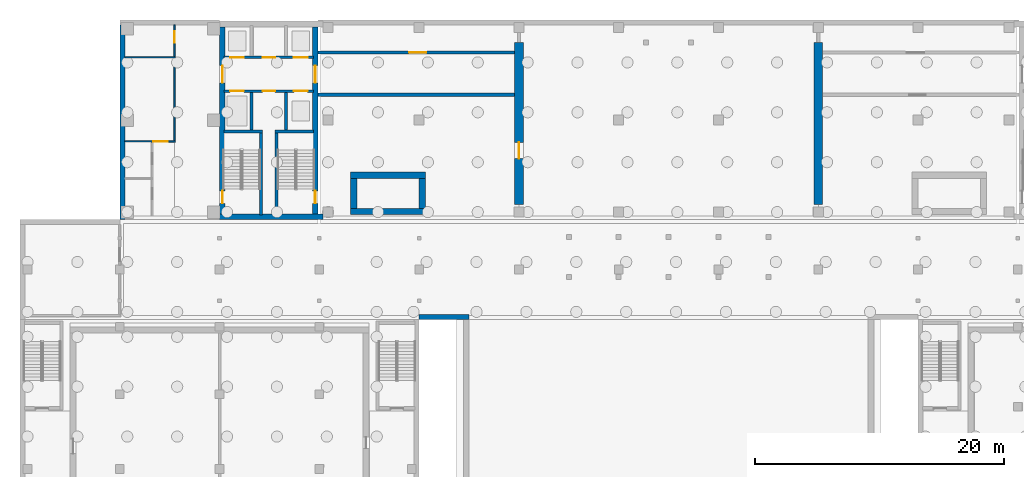
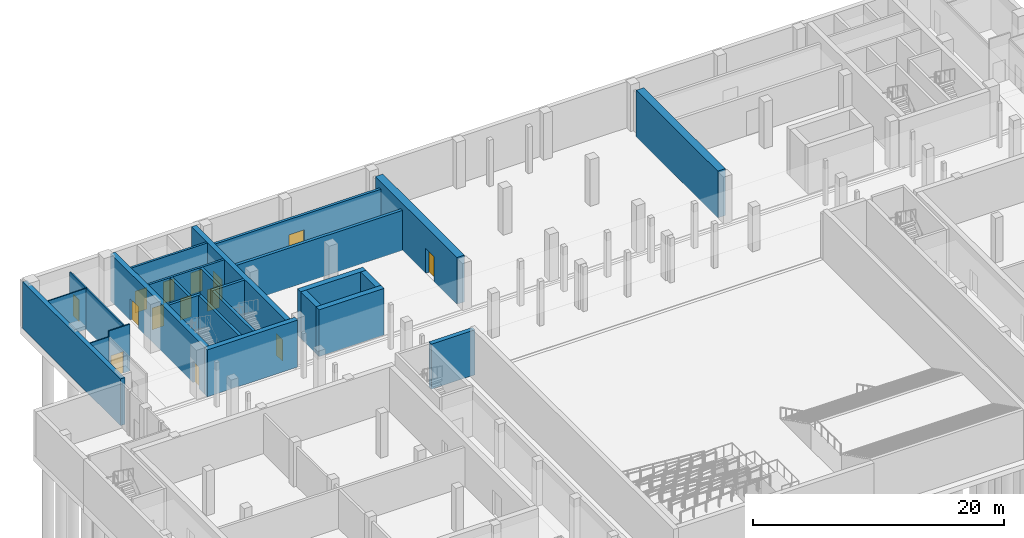
# One storey, part 7 of 21: 25 walls, 14 doors, 14 openings.
"""IFC4 building model written with IfcOpenShell, lengths in metres."""

from ifc_helpers import new_model, si_unit, direction, frame, frame_2d, origin, place, context, subcontext, project, spatial, rectangle, extrude, material, layer, layer_set, type_object, element, fill, save


model = new_model("IFC4")

# Units and contexts
model_context = context("Model", 3, precision=1e-05, world=origin(), true_north=direction((0.0, 1.0)))
body_context = subcontext(model_context, "Body", "Model", "MODEL_VIEW")
ifc_project = project(units=[si_unit("LENGTHUNIT", "METRE"), si_unit("AREAUNIT", "SQUARE_METRE"), si_unit("VOLUMEUNIT", "CUBIC_METRE"), si_unit("PLANEANGLEUNIT", "RADIAN"), si_unit("MASSUNIT", "GRAM", prefix="KILO")], contexts=[model_context])

# Site, building, storey
site_placement = place(None, origin())
site = spatial("IfcSite", under=ifc_project, at=site_placement, CompositionType="ELEMENT")
building_placement = place(site_placement, origin())
building = spatial("IfcBuilding", under=site, at=building_placement, Name="Lantern Court Media Centre", CompositionType="ELEMENT")
storey_placement = place(building_placement, frame((0.0, 0.0, -4.800048828125)))
storey = spatial("IfcBuildingStorey", under=building, at=storey_placement, Name="B1", CompositionType="ELEMENT", Elevation=-4.800048828125)

# Wall
ifc_material_1 = material(Name="Concrete blockwork C20", Category="masonry")
ifc_layer_1 = layer(ifc_material_1, 0.280029296875)
ifc_layer_set_1 = layer_set([ifc_layer_1], Name="Concrete blockwork C20")
wall_type_1 = type_object("IfcWallType", Name="Archive humidity and fire wall 280", PredefinedType="PARTITIONING", material=ifc_layer_set_1)
wall_1_placement = place(storey_placement, frame((23.89990234375, 58.0, 0.0), z_axis=(0.0, 0.0, 1.0), x_axis=(1.0, 0.0, 0.0)))
element("IfcWall", 1, at=wall_1_placement, inside=storey, type_object=wall_type_1, Name="B1 partition 037", PredefinedType="PARTITIONING", context=body_context, shape_type="SweptSolid", body=[
    extrude(rectangle(XDim=15.75, YDim=0.280029296875, at=frame_2d((7.875, 0.0))), origin(), (0.0, 0.0, 1.0), 3.880126953125),
])

# Wall, opening, door
ifc_material_2 = material(Name="Gypsum board partition")
ifc_layer_2 = layer(ifc_material_2, 0.125)
ifc_layer_set_2 = layer_set([ifc_layer_2], Name="Gypsum board partition")
wall_type_2 = type_object("IfcWallType", Name="Corridor partition 125", PredefinedType="PARTITIONING", material=ifc_layer_set_2)
wall_2_placement = place(storey_placement, frame((12.39990234375, 54.3330078125, 0.0), z_axis=(0.0, 0.0, 1.0), x_axis=(0.0, 1.0, 0.0)))
wall_2 = element("IfcWall", 2, at=wall_2_placement, inside=storey, type_object=wall_type_2, Name="B1 partition 000", PredefinedType="PARTITIONING", context=body_context, shape_type="SweptSolid", body=[
    extrude(rectangle(XDim=9.26708984375, YDim=0.125, at=frame_2d((4.633544921875, 0.0))), origin(), (0.0, 0.0, 1.0), 3.97998046875),
])
opening_1_placement = place(wall_2_placement, frame((7.861572265625, 0.0, 0.0)))
opening_1 = element("IfcOpeningElement", 3, at=opening_1_placement, cuts=wall_2, Name="Opening B1-002", PredefinedType="OPENING", context=body_context, shape_type="SweptSolid", body=[
    extrude(rectangle(XDim=0.89990234375, YDim=2.10009765625, at=frame_2d((0.449951171875, 1.050048828125))), frame((0.0, 0.072509765625, 0.0), z_axis=(0.0, -1.0, 0.0), x_axis=(1.0, 0.0, 0.0)), (0.0, 0.0, 1.0), 0.14501953125),
])
ifc_material_3 = material(Name="Solid-core timber door leaf", Category="wood")
door_type_1 = type_object("IfcDoorType", Name="Single door 900x2100", OperationType="NOTDEFINED", PredefinedType="DOOR", material=ifc_material_3)
door_1_placement = place(opening_1_placement, origin())
door_1 = element("IfcDoor", 4, at=door_1_placement, inside=storey, type_object=door_type_1, Name="B1 Switchroom door", OperationType="SINGLE_SWING_LEFT", OverallHeight=2.10009765625, OverallWidth=0.89990234375, PredefinedType="DOOR", context=body_context, shape_type="SweptSolid", body=[
    extrude(rectangle(XDim=0.89990234375, YDim=2.10009765625, at=frame_2d((0.449951171875, 1.050048828125))), frame((0.0, 0.02490234375, 0.0), z_axis=(0.0, -1.0, 0.0), x_axis=(1.0, 0.0, 0.0)), (0.0, 0.0, 1.0), 0.050048828125),
])
fill(opening_1, door_1)

wall_3_placement = place(storey_placement, frame((10.53759765625, 54.27001953125, 0.0), z_axis=(0.0, 0.0, 1.0), x_axis=(1.0, 0.0, 0.0)))
wall_3 = element("IfcWall", 5, at=wall_3_placement, inside=storey, type_object=wall_type_2, Name="B1 partition 002", PredefinedType="PARTITIONING", context=body_context, shape_type="SweptSolid", body=[
    extrude(rectangle(XDim=1.9248046875, YDim=0.125, at=frame_2d((0.96240234375, 0.0))), origin(), (0.0, 0.0, 1.0), 4.56005859375),
])
opening_2_placement = place(wall_3_placement, frame((0.16259765625, 0.0, 0.0)))
opening_2 = element("IfcOpeningElement", 6, at=opening_2_placement, cuts=wall_3, Name="Opening B1-001", PredefinedType="OPENING", context=body_context, shape_type="SweptSolid", body=[
    extrude(rectangle(XDim=1.14990234375, YDim=2.10009765625, at=frame_2d((0.574951171875, 1.050048828125))), frame((0.0, 0.072509765625, 0.0), z_axis=(0.0, -1.0, 0.0), x_axis=(1.0, 0.0, 0.0)), (0.0, 0.0, 1.0), 0.14501953125),
])
door_type_2 = type_object("IfcDoorType", Name="Single door 1150x2100", OperationType="NOTDEFINED", PredefinedType="DOOR", material=ifc_material_3)
door_2_placement = place(opening_2_placement, origin())
door_2 = element("IfcDoor", 7, at=door_2_placement, inside=storey, type_object=door_type_2, Name="B1 Chiller Plant Room door", OperationType="SINGLE_SWING_RIGHT", OverallHeight=2.10009765625, OverallWidth=1.14990234375, PredefinedType="DOOR", context=body_context, shape_type="SweptSolid", body=[
    extrude(rectangle(XDim=1.14990234375, YDim=2.10009765625, at=frame_2d((0.574951171875, 1.050048828125))), frame((0.0, 0.02490234375, 0.0), z_axis=(0.0, -1.0, 0.0), x_axis=(1.0, 0.0, 0.0)), (0.0, 0.0, 1.0), 0.050048828125),
])
fill(opening_2, door_2)

# Wall, openings, doors
ifc_material_4 = material(Name="Concrete C40", Category="concrete")
ifc_layer_3 = layer(ifc_material_4, 0.199951171875)
ifc_layer_set_3 = layer_set([ifc_layer_3], Name="Concrete C40")
wall_type_3 = type_object("IfcWallType", Name="Fire lobby wall 200", PredefinedType="SOLIDWALL", material=ifc_layer_set_3)
wall_4_placement = place(storey_placement, frame((16.35009765625, 58.300048828125, 0.0), z_axis=(0.0, 0.0, 1.0), x_axis=(1.0, 0.0, 0.0)))
wall_4 = element("IfcWall", 8, at=wall_4_placement, inside=storey, type_object=wall_type_3, Name="B1 SW FW1", PredefinedType="SOLIDWALL", context=body_context, shape_type="SweptSolid", body=[
    extrude(rectangle(XDim=7.199951171875, YDim=0.199951171875, at=frame_2d((3.60009765625, 0.0))), origin(), (0.0, 0.0, 1.0), 4.550048828125),
])
opening_3_placement = place(wall_4_placement, frame((0.5, 0.0, 0.0)))
opening_3 = element("IfcOpeningElement", 9, at=opening_3_placement, cuts=wall_4, Name="Opening LD-SWFF-B1", PredefinedType="OPENING", context=body_context, shape_type="SweptSolid", body=[
    extrude(rectangle(XDim=1.10009765625, YDim=2.10009765625, at=frame_2d((0.550048828125, 1.050048828125))), frame((0.0, 0.10986328125, 0.0), z_axis=(0.0, -1.0, 0.0), x_axis=(1.0, 0.0, 0.0)), (0.0, 0.0, 1.0), 0.219970703125),
])
opening_4_placement = place(wall_4_placement, frame((5.60009765625, 0.0, 0.0)))
opening_4 = element("IfcOpeningElement", 10, at=opening_4_placement, cuts=wall_4, Name="Opening LD-SWP1-B1", PredefinedType="OPENING", context=body_context, shape_type="SweptSolid", body=[
    extrude(rectangle(XDim=1.10009765625, YDim=2.10009765625, at=frame_2d((0.550048828125, 1.050048828125))), frame((0.0, 0.10986328125, 0.0), z_axis=(0.0, -1.0, 0.0), x_axis=(1.0, 0.0, 0.0)), (0.0, 0.0, 1.0), 0.219970703125),
])
opening_5_placement = place(wall_4_placement, frame((3.10009765625, 0.0, 0.0)))
opening_5 = element("IfcOpeningElement", 11, at=opening_5_placement, cuts=wall_4, Name="Opening SW-B1-03", PredefinedType="OPENING", context=body_context, shape_type="SweptSolid", body=[
    extrude(rectangle(XDim=1.0, YDim=2.10009765625, at=frame_2d((0.5, 1.050048828125))), frame((0.0, 0.10986328125, 0.0), z_axis=(0.0, -1.0, 0.0), x_axis=(1.0, 0.0, 0.0)), (0.0, 0.0, 1.0), 0.219970703125),
])
ifc_material_5 = material(Name="Steel door leaf", Category="steel")
door_type_3 = type_object("IfcDoorType", Name="Lift landing door 1100x2100", OperationType="DOUBLE_DOOR_SLIDING", PredefinedType="DOOR", material=ifc_material_5)
door_3_placement = place(opening_3_placement, origin())
door_3 = element("IfcDoor", 12, at=door_3_placement, inside=storey, type_object=door_type_3, Name="B1 SW lift FF landing door", OperationType="DOUBLE_DOOR_SLIDING", OverallHeight=2.10009765625, OverallWidth=1.10009765625, PredefinedType="DOOR", context=body_context, shape_type="SweptSolid", body=[
    extrude(rectangle(XDim=1.10009765625, YDim=2.10009765625, at=frame_2d((0.550048828125, 1.050048828125))), frame((0.0, 0.02490234375, 0.0), z_axis=(0.0, -1.0, 0.0), x_axis=(1.0, 0.0, 0.0)), (0.0, 0.0, 1.0), 0.050048828125),
])
fill(opening_3, door_3)
door_4_placement = place(opening_4_placement, origin())
door_4 = element("IfcDoor", 13, at=door_4_placement, inside=storey, type_object=door_type_3, Name="B1 SW lift P1 landing door", OperationType="DOUBLE_DOOR_SLIDING", OverallHeight=2.10009765625, OverallWidth=1.10009765625, PredefinedType="DOOR", context=body_context, shape_type="SweptSolid", body=[
    extrude(rectangle(XDim=1.10009765625, YDim=2.10009765625, at=frame_2d((0.550048828125, 1.050048828125))), frame((0.0, 0.02490234375, 0.0), z_axis=(0.0, -1.0, 0.0), x_axis=(1.0, 0.0, 0.0)), (0.0, 0.0, 1.0), 0.050048828125),
])
fill(opening_4, door_4)
door_type_4 = type_object("IfcDoorType", Name="Service door 1000x2100", OperationType="NOTDEFINED", PredefinedType="DOOR", material=ifc_material_5)
door_5_placement = place(opening_5_placement, origin())
door_5 = element("IfcDoor", 14, at=door_5_placement, inside=storey, type_object=door_type_4, Name="B1 SW services riser door", OperationType="SINGLE_SWING_LEFT", OverallHeight=2.10009765625, OverallWidth=1.0, PredefinedType="DOOR", context=body_context, shape_type="SweptSolid", body=[
    extrude(rectangle(XDim=1.0, YDim=2.10009765625, at=frame_2d((0.5, 1.050048828125))), frame((0.0, 0.02490234375, 0.0), z_axis=(0.0, -1.0, 0.0), x_axis=(1.0, 0.0, 0.0)), (0.0, 0.0, 1.0), 0.050048828125),
])
fill(opening_5, door_5)

wall_5_placement = place(storey_placement, frame((16.35009765625, 61.0, 0.0), z_axis=(0.0, 0.0, 1.0), x_axis=(1.0, 0.0, 0.0)))
wall_5 = element("IfcWall", 15, at=wall_5_placement, inside=storey, type_object=wall_type_3, Name="B1 SW FW2", PredefinedType="SOLIDWALL", context=body_context, shape_type="SweptSolid", body=[
    extrude(rectangle(XDim=7.199951171875, YDim=0.199951171875, at=frame_2d((3.60009765625, 0.0))), origin(), (0.0, 0.0, 1.0), 4.550048828125),
])
opening_6_placement = place(wall_5_placement, frame((0.5, 0.0, 0.0)))
opening_6 = element("IfcOpeningElement", 16, at=opening_6_placement, cuts=wall_5, Name="Opening LD-SWP2-B1", PredefinedType="OPENING", context=body_context, shape_type="SweptSolid", body=[
    extrude(rectangle(XDim=1.10009765625, YDim=2.10009765625, at=frame_2d((0.550048828125, 1.050048828125))), frame((0.0, 0.10986328125, 0.0), z_axis=(0.0, -1.0, 0.0), x_axis=(1.0, 0.0, 0.0)), (0.0, 0.0, 1.0), 0.219970703125),
])
opening_7_placement = place(wall_5_placement, frame((5.60009765625, 0.0, 0.0)))
opening_7 = element("IfcOpeningElement", 17, at=opening_7_placement, cuts=wall_5, Name="Opening LD-SWP3-B1", PredefinedType="OPENING", context=body_context, shape_type="SweptSolid", body=[
    extrude(rectangle(XDim=1.10009765625, YDim=2.10009765625, at=frame_2d((0.550048828125, 1.050048828125))), frame((0.0, 0.10986328125, 0.0), z_axis=(0.0, -1.0, 0.0), x_axis=(1.0, 0.0, 0.0)), (0.0, 0.0, 1.0), 0.219970703125),
])
opening_8_placement = place(wall_5_placement, frame((3.10009765625, 0.0, 0.0)))
opening_8 = element("IfcOpeningElement", 18, at=opening_8_placement, cuts=wall_5, Name="Opening SW-B1-04", PredefinedType="OPENING", context=body_context, shape_type="SweptSolid", body=[
    extrude(rectangle(XDim=1.0, YDim=2.10009765625, at=frame_2d((0.5, 1.050048828125))), frame((0.0, 0.10986328125, 0.0), z_axis=(0.0, -1.0, 0.0), x_axis=(1.0, 0.0, 0.0)), (0.0, 0.0, 1.0), 0.219970703125),
])
door_6_placement = place(opening_6_placement, frame((1.10009765625, 0.0, 0.0), z_axis=(0.0, 0.0, 1.0), x_axis=(-1.0, 0.0, 0.0)))
door_6 = element("IfcDoor", 19, at=door_6_placement, inside=storey, type_object=door_type_3, Name="B1 SW lift P2 landing door", OperationType="DOUBLE_DOOR_SLIDING", OverallHeight=2.10009765625, OverallWidth=1.10009765625, PredefinedType="DOOR", context=body_context, shape_type="SweptSolid", body=[
    extrude(rectangle(XDim=1.10009765625, YDim=2.10009765625, at=frame_2d((0.550048828125, 1.050048828125))), frame((0.0, 0.02490234375, 0.0), z_axis=(0.0, -1.0, 0.0), x_axis=(1.0, 0.0, 0.0)), (0.0, 0.0, 1.0), 0.050048828125),
])
fill(opening_6, door_6)
door_7_placement = place(opening_7_placement, frame((1.10009765625, 0.0, 0.0), z_axis=(0.0, 0.0, 1.0), x_axis=(-1.0, 0.0, 0.0)))
door_7 = element("IfcDoor", 20, at=door_7_placement, inside=storey, type_object=door_type_3, Name="B1 SW lift P3 landing door", OperationType="DOUBLE_DOOR_SLIDING", OverallHeight=2.10009765625, OverallWidth=1.10009765625, PredefinedType="DOOR", context=body_context, shape_type="SweptSolid", body=[
    extrude(rectangle(XDim=1.10009765625, YDim=2.10009765625, at=frame_2d((0.550048828125, 1.050048828125))), frame((0.0, 0.02490234375, 0.0), z_axis=(0.0, -1.0, 0.0), x_axis=(1.0, 0.0, 0.0)), (0.0, 0.0, 1.0), 0.050048828125),
])
fill(opening_7, door_7)
door_8_placement = place(opening_8_placement, frame((1.0, 0.0, 0.0), z_axis=(0.0, 0.0, 1.0), x_axis=(-1.0, 0.0, 0.0)))
door_8 = element("IfcDoor", 21, at=door_8_placement, inside=storey, type_object=door_type_4, Name="B1 SW accessible WC door", OperationType="SINGLE_SWING_RIGHT", OverallHeight=2.10009765625, OverallWidth=1.0, PredefinedType="DOOR", context=body_context, shape_type="SweptSolid", body=[
    extrude(rectangle(XDim=1.0, YDim=2.10009765625, at=frame_2d((0.5, 1.050048828125))), frame((0.0, 0.02490234375, 0.0), z_axis=(0.0, -1.0, 0.0), x_axis=(1.0, 0.0, 0.0)), (0.0, 0.0, 1.0), 0.050048828125),
])
fill(opening_8, door_8)

# Walls
ifc_layer_4 = layer(ifc_material_2, 0.10009765625)
ifc_layer_set_4 = layer_set([ifc_layer_4], Name="Gypsum board partition")
wall_type_4 = type_object("IfcWallType", Name="Partition 100", PredefinedType="PARTITIONING", material=ifc_layer_set_4)
wall_6_placement = place(storey_placement, frame((8.39990234375, 54.27001953125, 0.0), z_axis=(0.0, 0.0, 1.0), x_axis=(1.0, 0.0, 0.0)))
element("IfcWall", 22, at=wall_6_placement, inside=storey, type_object=wall_type_4, Name="B1 partition 001", PredefinedType="PARTITIONING", context=body_context, shape_type="SweptSolid", body=[
    extrude(rectangle(XDim=2.2626953125, YDim=0.10009765625, at=frame_2d((1.13134765625, 0.0))), origin(), (0.0, 0.0, 1.0), 3.97998046875),
])
wall_7_placement = place(storey_placement, frame((8.39990234375, 61.010986328125, 0.0), z_axis=(0.0, 0.0, 1.0), x_axis=(1.0, 0.0, 0.0)))
element("IfcWall", 23, at=wall_7_placement, inside=storey, type_object=wall_type_4, Name="B1 partition 005", PredefinedType="PARTITIONING", context=body_context, shape_type="SweptSolid", body=[
    extrude(rectangle(XDim=4.0625, YDim=0.10009765625, at=frame_2d((2.03125, 0.0))), origin(), (0.0, 0.0, 1.0), 3.97998046875),
])

# Wall, opening, door
ifc_layer_5 = layer(ifc_material_1, 0.239990234375)
ifc_layer_set_5 = layer_set([ifc_layer_5], Name="Concrete blockwork C20")
wall_type_5 = type_object("IfcWallType", Name="Plant room acoustic fire wall 240", PredefinedType="PARTITIONING", material=ifc_layer_set_5)
wall_8_placement = place(storey_placement, frame((23.89990234375, 61.39990234375, 0.0), z_axis=(0.0, 0.0, 1.0), x_axis=(1.0, 0.0, 0.0)))
wall_8 = element("IfcWall", 24, at=wall_8_placement, inside=storey, type_object=wall_type_5, Name="B1 partition 039", PredefinedType="PARTITIONING", context=body_context, shape_type="SweptSolid", body=[
    extrude(rectangle(XDim=15.75, YDim=0.239990234375, at=frame_2d((7.875, 0.0))), origin(), (0.0, 0.0, 1.0), 3.880126953125),
])
opening_9_placement = place(wall_8_placement, frame((7.28857421875, 0.0, 0.0)))
opening_9 = element("IfcOpeningElement", 25, at=opening_9_placement, cuts=wall_8, Name="Opening B1-026", PredefinedType="OPENING", context=body_context, shape_type="SweptSolid", body=[
    extrude(rectangle(XDim=1.39990234375, YDim=2.39990234375, at=frame_2d((0.699951171875, 1.199951171875))), frame((0.0, 0.1298828125, 0.0), z_axis=(0.0, -1.0, 0.0), x_axis=(1.0, 0.0, 0.0)), (0.0, 0.0, 1.0), 0.260009765625),
])
door_type_5 = type_object("IfcDoorType", Name="Plant room fire door 1400x2400", OperationType="NOTDEFINED", PredefinedType="DOOR", material=ifc_material_5)
door_9_placement = place(opening_9_placement, origin())
door_9 = element("IfcDoor", 26, at=door_9_placement, inside=storey, type_object=door_type_5, Name="B1 Archive Air Handling Room door", OperationType="SINGLE_SWING_LEFT", OverallHeight=2.39990234375, OverallWidth=1.39990234375, PredefinedType="DOOR", context=body_context, shape_type="SweptSolid", body=[
    extrude(rectangle(XDim=1.39990234375, YDim=2.39990234375, at=frame_2d((0.699951171875, 1.199951171875))), frame((0.0, 0.02490234375, 0.0), z_axis=(0.0, -1.0, 0.0), x_axis=(1.0, 0.0, 0.0)), (0.0, 0.0, 1.0), 0.050048828125),
])
fill(opening_9, door_9)

# Walls
ifc_layer_6 = layer(ifc_material_4, 0.5)
ifc_layer_set_6 = layer_set([ifc_layer_6], Name="Concrete C40")
wall_type_6 = type_object("IfcWallType", Name="RC BASEMENT BOX WALL 500", PredefinedType="SHEAR", material=ifc_layer_set_6)
for number, where, z_axis, x_axis, name in (
    (27, (26.5, 48.64990234375, 0.0), (0.0, 0.0, 1.0), (1.0, 0.0, 0.0), "WB-S-LC1-B1-S"),
    (28, (26.5, 51.550048828125, 0.0), (0.0, 0.0, 1.0), (1.0, 0.0, 0.0), "WB-S-LC1-B1-N"),
):
    element("IfcWall", number, at=place(storey_placement, frame(where, z_axis=z_axis, x_axis=x_axis)), inside=storey, type_object=wall_type_6, Name=name, PredefinedType="SHEAR", context=body_context, shape_type="SweptSolid", body=[
        extrude(rectangle(XDim=6.0, YDim=0.5, at=frame_2d((3.0, 0.0))), origin(), (0.0, 0.0, 1.0), 4.550048828125),
    ])
for number, where, z_axis, x_axis, name in (
    (29, (26.75, 48.89990234375, 0.0), (0.0, 0.0, 1.0), (0.0, 1.0, 0.0), "WB-S-LC1-B1-W"),
    (30, (32.25, 48.89990234375, 0.0), (0.0, 0.0, 1.0), (0.0, 1.0, 0.0), "WB-S-LC1-B1-E"),
):
    element("IfcWall", number, at=place(storey_placement, frame(where, z_axis=z_axis, x_axis=x_axis)), inside=storey, type_object=wall_type_6, Name=name, PredefinedType="SHEAR", context=body_context, shape_type="SweptSolid", body=[
        extrude(rectangle(XDim=2.400146484375, YDim=0.5, at=frame_2d((1.2001953125, 0.0))), origin(), (0.0, 0.0, 1.0), 4.550048828125),
    ])
ifc_layer_7 = layer(ifc_material_4, 0.449951171875)
ifc_layer_set_7 = layer_set([ifc_layer_7], Name="Concrete C40")
wall_type_7 = type_object("IfcWallType", Name="RC BASEMENT CORE WALL 450", PredefinedType="SHEAR", material=ifc_layer_set_7)
wall_9_placement = place(storey_placement, frame((16.0, 48.22509765625, 0.0), z_axis=(0.0, 0.0, 1.0), x_axis=(1.0, 0.0, 0.0)))
element("IfcWall", 31, at=wall_9_placement, inside=storey, type_object=wall_type_7, Name="WC-SW-B1-S", PredefinedType="SHEAR", context=body_context, shape_type="SweptSolid", body=[
    extrude(rectangle(XDim=8.300048828125, YDim=0.449951171875, at=frame_2d((4.14990234375, 0.0))), origin(), (0.0, 0.0, 1.0), 4.580078125),
])

# Wall, openings, doors
wall_10_placement = place(storey_placement, frame((16.22509765625, 48.449951171875, 0.0), z_axis=(0.0, 0.0, 1.0), x_axis=(0.0, 1.0, 0.0)))
wall_10 = element("IfcWall", 32, at=wall_10_placement, inside=storey, type_object=wall_type_7, Name="WC-SW-B1-W", PredefinedType="SHEAR", context=body_context, shape_type="SweptSolid", body=[
    extrude(rectangle(XDim=15.0, YDim=0.449951171875, at=frame_2d((7.5, 0.0))), origin(), (0.0, 0.0, 1.0), 4.580078125),
])
opening_10_placement = place(wall_10_placement, frame((0.85009765625, 0.0, 0.0)))
opening_10 = element("IfcOpeningElement", 33, at=opening_10_placement, cuts=wall_10, Name="Opening SW-B1-01", PredefinedType="OPENING", context=body_context, shape_type="SweptSolid", body=[
    extrude(rectangle(XDim=1.0, YDim=2.10009765625, at=frame_2d((0.5, 1.050048828125))), frame((0.0, 0.23486328125, 0.0), z_axis=(0.0, -1.0, 0.0), x_axis=(1.0, 0.0, 0.0)), (0.0, 0.0, 1.0), 0.469970703125),
])
opening_11_placement = place(wall_10_placement, frame((10.5, 0.0, 0.0)))
opening_11 = element("IfcOpeningElement", 34, at=opening_11_placement, cuts=wall_10, Name="Opening SW-B1-05", PredefinedType="OPENING", context=body_context, shape_type="SweptSolid", body=[
    extrude(rectangle(XDim=1.39990234375, YDim=2.10009765625, at=frame_2d((0.699951171875, 1.050048828125))), frame((0.0, 0.23486328125, 0.0), z_axis=(0.0, -1.0, 0.0), x_axis=(1.0, 0.0, 0.0)), (0.0, 0.0, 1.0), 0.469970703125),
])
door_type_6 = type_object("IfcDoorType", Name="Lift lobby double door 1400x2100", OperationType="NOTDEFINED", PredefinedType="DOOR", material=ifc_material_5)
door_10_placement = place(opening_11_placement, origin())
door_10 = element("IfcDoor", 35, at=door_10_placement, inside=storey, type_object=door_type_6, Name="B1 SW lift lobby west door", OperationType="SINGLE_SWING_LEFT", OverallHeight=2.10009765625, OverallWidth=1.39990234375, PredefinedType="DOOR", context=body_context, shape_type="SweptSolid", body=[
    extrude(rectangle(XDim=1.39990234375, YDim=2.10009765625, at=frame_2d((0.699951171875, 1.050048828125))), frame((0.0, 0.02490234375, 0.0), z_axis=(0.0, -1.0, 0.0), x_axis=(1.0, 0.0, 0.0)), (0.0, 0.0, 1.0), 0.050048828125),
])
fill(opening_11, door_10)
door_type_7 = type_object("IfcDoorType", Name="Stair door 1000x2100", OperationType="NOTDEFINED", PredefinedType="DOOR", material=ifc_material_5)
door_11_placement = place(opening_10_placement, origin())
door_11 = element("IfcDoor", 36, at=door_11_placement, inside=storey, type_object=door_type_7, Name="B1 SW stair A door", OperationType="SINGLE_SWING_LEFT", OverallHeight=2.10009765625, OverallWidth=1.0, PredefinedType="DOOR", context=body_context, shape_type="SweptSolid", body=[
    extrude(rectangle(XDim=1.0, YDim=2.10009765625, at=frame_2d((0.5, 1.050048828125))), frame((0.0, 0.02490234375, 0.0), z_axis=(0.0, -1.0, 0.0), x_axis=(1.0, 0.0, 0.0)), (0.0, 0.0, 1.0), 0.050048828125),
])
fill(opening_10, door_11)

wall_11_placement = place(storey_placement, frame((23.675048828125, 48.449951171875, 0.0), z_axis=(0.0, 0.0, 1.0), x_axis=(0.0, 1.0, 0.0)))
wall_11 = element("IfcWall", 37, at=wall_11_placement, inside=storey, type_object=wall_type_7, Name="WC-SW-B1-E", PredefinedType="SHEAR", context=body_context, shape_type="SweptSolid", body=[
    extrude(rectangle(XDim=15.0, YDim=0.449951171875, at=frame_2d((7.5, 0.0))), origin(), (0.0, 0.0, 1.0), 4.580078125),
])
opening_12_placement = place(wall_11_placement, frame((0.85009765625, 0.0, 0.0)))
opening_12 = element("IfcOpeningElement", 38, at=opening_12_placement, cuts=wall_11, Name="Opening SW-B1-02", PredefinedType="OPENING", context=body_context, shape_type="SweptSolid", body=[
    extrude(rectangle(XDim=1.0, YDim=2.10009765625, at=frame_2d((0.5, 1.050048828125))), frame((0.0, 0.23486328125, 0.0), z_axis=(0.0, -1.0, 0.0), x_axis=(1.0, 0.0, 0.0)), (0.0, 0.0, 1.0), 0.469970703125),
])
opening_13_placement = place(wall_11_placement, frame((10.5, 0.0, 0.0)))
opening_13 = element("IfcOpeningElement", 39, at=opening_13_placement, cuts=wall_11, Name="Opening SW-B1-06", PredefinedType="OPENING", context=body_context, shape_type="SweptSolid", body=[
    extrude(rectangle(XDim=1.39990234375, YDim=2.10009765625, at=frame_2d((0.699951171875, 1.050048828125))), frame((0.0, 0.23486328125, 0.0), z_axis=(0.0, -1.0, 0.0), x_axis=(1.0, 0.0, 0.0)), (0.0, 0.0, 1.0), 0.469970703125),
])
door_12_placement = place(opening_13_placement, frame((1.39990234375, 0.0, 0.0), z_axis=(0.0, 0.0, 1.0), x_axis=(-1.0, 0.0, 0.0)))
door_12 = element("IfcDoor", 40, at=door_12_placement, inside=storey, type_object=door_type_6, Name="B1 SW lift lobby east door", OperationType="SINGLE_SWING_RIGHT", OverallHeight=2.10009765625, OverallWidth=1.39990234375, PredefinedType="DOOR", context=body_context, shape_type="SweptSolid", body=[
    extrude(rectangle(XDim=1.39990234375, YDim=2.10009765625, at=frame_2d((0.699951171875, 1.050048828125))), frame((0.0, 0.02490234375, 0.0), z_axis=(0.0, -1.0, 0.0), x_axis=(1.0, 0.0, 0.0)), (0.0, 0.0, 1.0), 0.050048828125),
])
fill(opening_13, door_12)
door_13_placement = place(opening_12_placement, frame((1.0, 0.0, 0.0), z_axis=(0.0, 0.0, 1.0), x_axis=(-1.0, 0.0, 0.0)))
door_13 = element("IfcDoor", 41, at=door_13_placement, inside=storey, type_object=door_type_7, Name="B1 SW stair B door", OperationType="SINGLE_SWING_RIGHT", OverallHeight=2.10009765625, OverallWidth=1.0, PredefinedType="DOOR", context=body_context, shape_type="SweptSolid", body=[
    extrude(rectangle(XDim=1.0, YDim=2.10009765625, at=frame_2d((0.5, 1.050048828125))), frame((0.0, 0.02490234375, 0.0), z_axis=(0.0, -1.0, 0.0), x_axis=(1.0, 0.0, 0.0)), (0.0, 0.0, 1.0), 0.050048828125),
])
fill(opening_12, door_13)

# Wall, opening, door
ifc_layer_8 = layer(ifc_material_4, 0.699951171875)
ifc_layer_set_8 = layer_set([ifc_layer_8], Name="Concrete C40")
wall_type_8 = type_object("IfcWallType", Name="RC BASEMENT SHEAR WALL 700", PredefinedType="SHEAR", material=ifc_layer_set_8)
wall_12_placement = place(storey_placement, frame((40.0, 49.199951171875, 0.0), z_axis=(0.0, 0.0, 1.0), x_axis=(0.0, 1.0, 0.0)))
wall_12 = element("IfcWall", 42, at=wall_12_placement, inside=storey, type_object=wall_type_8, Name="WF-S-40-B1-W", PredefinedType="SHEAR", context=body_context, shape_type="SweptSolid", body=[
    extrude(rectangle(XDim=13.0, YDim=0.699951171875, at=frame_2d((6.5, 0.0))), origin(), (0.0, 0.0, 1.0), 4.550048828125),
])
opening_14_placement = place(wall_12_placement, frame((3.680419921875, 0.0, 0.0)))
opening_14 = element("IfcOpeningElement", 43, at=opening_14_placement, cuts=wall_12, Name="Opening B1-025", PredefinedType="OPENING", context=body_context, shape_type="SweptSolid", body=[
    extrude(rectangle(XDim=1.300048828125, YDim=2.39990234375, at=frame_2d((0.64990234375, 1.199951171875))), frame((0.0, 0.35986328125, 0.0), z_axis=(0.0, -1.0, 0.0), x_axis=(1.0, 0.0, 0.0)), (0.0, 0.0, 1.0), 0.719970703125),
])
door_type_8 = type_object("IfcDoorType", Name="Archive vault door 1300x2400", OperationType="NOTDEFINED", PredefinedType="DOOR", material=ifc_material_5)
door_14_placement = place(opening_14_placement, frame((1.300048828125, 0.0, 0.0), z_axis=(0.0, 0.0, 1.0), x_axis=(-1.0, 0.0, 0.0)))
door_14 = element("IfcDoor", 44, at=door_14_placement, inside=storey, type_object=door_type_8, Name="B1 Library Archive Vault door", OperationType="SINGLE_SWING_RIGHT", OverallHeight=2.39990234375, OverallWidth=1.300048828125, PredefinedType="DOOR", context=body_context, shape_type="SweptSolid", body=[
    extrude(rectangle(XDim=1.300048828125, YDim=2.39990234375, at=frame_2d((0.64990234375, 1.199951171875))), frame((0.0, 0.02490234375, 0.0), z_axis=(0.0, -1.0, 0.0), x_axis=(1.0, 0.0, 0.0)), (0.0, 0.0, 1.0), 0.050048828125),
])
fill(opening_14, door_14)

# Walls
wall_13_placement = place(storey_placement, frame((64.0, 49.199951171875, 0.0), z_axis=(0.0, 0.0, 1.0), x_axis=(0.0, 1.0, 0.0)))
element("IfcWall", 45, at=wall_13_placement, inside=storey, type_object=wall_type_8, Name="WF-S-64-B1-W", PredefinedType="SHEAR", context=body_context, shape_type="SweptSolid", body=[
    extrude(rectangle(XDim=13.0, YDim=0.699951171875, at=frame_2d((6.5, 0.0))), origin(), (0.0, 0.0, 1.0), 4.550048828125),
])
ifc_material_6 = material(Name="Concrete C35", Category="concrete")
ifc_layer_9 = layer(ifc_material_6, 0.39990234375)
ifc_layer_set_9 = layer_set([ifc_layer_9], Name="Concrete C35")
wall_type_9 = type_object("IfcWallType", Name="RC RETAINING WALL 400", PredefinedType="SOLIDWALL", material=ifc_layer_set_9)
wall_14_placement = place(storey_placement, frame((32.0, 40.199951171875, 0.0), z_axis=(0.0, 0.0, 1.0), x_axis=(1.0, 0.0, 0.0)))
element("IfcWall", 46, at=wall_14_placement, inside=storey, type_object=wall_type_9, Name="WR-B1-1b", PredefinedType="SOLIDWALL", context=body_context, shape_type="SweptSolid", body=[
    extrude(rectangle(XDim=4.0, YDim=0.39990234375, at=frame_2d((2.0, 0.0))), origin(), (0.0, 0.0, 1.0), 4.380126953125),
])
wall_15_placement = place(storey_placement, frame((8.199951171875, 48.0, 0.0), z_axis=(0.0, 0.0, 1.0), x_axis=(0.0, 1.0, 0.0)))
element("IfcWall", 47, at=wall_15_placement, inside=storey, type_object=wall_type_9, Name="WR-B1-12", PredefinedType="SOLIDWALL", context=body_context, shape_type="SweptSolid", body=[
    extrude(rectangle(XDim=15.60009765625, YDim=0.39990234375, at=frame_2d((7.800048828125, 0.0))), origin(), (0.0, 0.0, 1.0), 4.550048828125),
])
ifc_layer_10 = layer(ifc_material_4, 0.25)
ifc_layer_set_10 = layer_set([ifc_layer_10], Name="Concrete C40")
wall_type_10 = type_object("IfcWallType", Name="RC lift shaft wall 250", PredefinedType="SOLIDWALL", material=ifc_layer_set_10)
for number, where, z_axis, x_axis, name in (
    (48, (18.574951171875, 55.199951171875, 0.0), (0.0, 0.0, 1.0), (0.0, 1.0, 0.0), "B1 SW L1a"),
    (49, (21.324951171875, 55.199951171875, 0.0), (0.0, 0.0, 1.0), (0.0, 1.0, 0.0), "B1 SW L2a"),
):
    element("IfcWall", number, at=place(storey_placement, frame(where, z_axis=z_axis, x_axis=x_axis)), inside=storey, type_object=wall_type_10, Name=name, PredefinedType="SOLIDWALL", context=body_context, shape_type="SweptSolid", body=[
        extrude(rectangle(XDim=3.0, YDim=0.25, at=frame_2d((1.5, 0.0))), origin(), (0.0, 0.0, 1.0), 4.550048828125),
    ])
ifc_layer_11 = layer(ifc_material_4, 0.25)
ifc_layer_set_11 = layer_set([ifc_layer_11], Name="Concrete C40")
wall_type_11 = type_object("IfcWallType", Name="RC stair shaft wall 250", PredefinedType="SOLIDWALL", material=ifc_layer_set_11)
for number, where, z_axis, x_axis, name in (
    (50, (19.324951171875, 48.35009765625, 0.0), (0.0, 0.0, 1.0), (0.0, 1.0, 0.0), "B1 SW SA"),
    (51, (20.574951171875, 48.35009765625, 0.0), (0.0, 0.0, 1.0), (0.0, 1.0, 0.0), "B1 SW SB"),
):
    element("IfcWall", number, at=place(storey_placement, frame(where, z_axis=z_axis, x_axis=x_axis)), inside=storey, type_object=wall_type_11, Name=name, PredefinedType="SOLIDWALL", context=body_context, shape_type="SweptSolid", body=[
        extrude(rectangle(XDim=6.599853515625, YDim=0.25, at=frame_2d((3.2998046875, 0.0))), origin(), (0.0, 0.0, 1.0), 4.550048828125),
    ])
wall_16_placement = place(storey_placement, frame((16.35009765625, 55.074951171875, 0.0), z_axis=(0.0, 0.0, 1.0), x_axis=(1.0, 0.0, 0.0)))
element("IfcWall", 52, at=wall_16_placement, inside=storey, type_object=wall_type_11, Name="B1 SW SN1", PredefinedType="SOLIDWALL", context=body_context, shape_type="SweptSolid", body=[
    extrude(rectangle(XDim=3.099853515625, YDim=0.25, at=frame_2d((1.5498046875, 0.0))), origin(), (0.0, 0.0, 1.0), 4.550048828125),
])
wall_17_placement = place(storey_placement, frame((20.449951171875, 55.074951171875, 0.0), z_axis=(0.0, 0.0, 1.0), x_axis=(1.0, 0.0, 0.0)))
element("IfcWall", 53, at=wall_17_placement, inside=storey, type_object=wall_type_11, Name="B1 SW SN2", PredefinedType="SOLIDWALL", context=body_context, shape_type="SweptSolid", body=[
    extrude(rectangle(XDim=3.10009765625, YDim=0.25, at=frame_2d((1.550048828125, 0.0))), origin(), (0.0, 0.0, 1.0), 4.550048828125),
])

save(model, "model.ifc")
